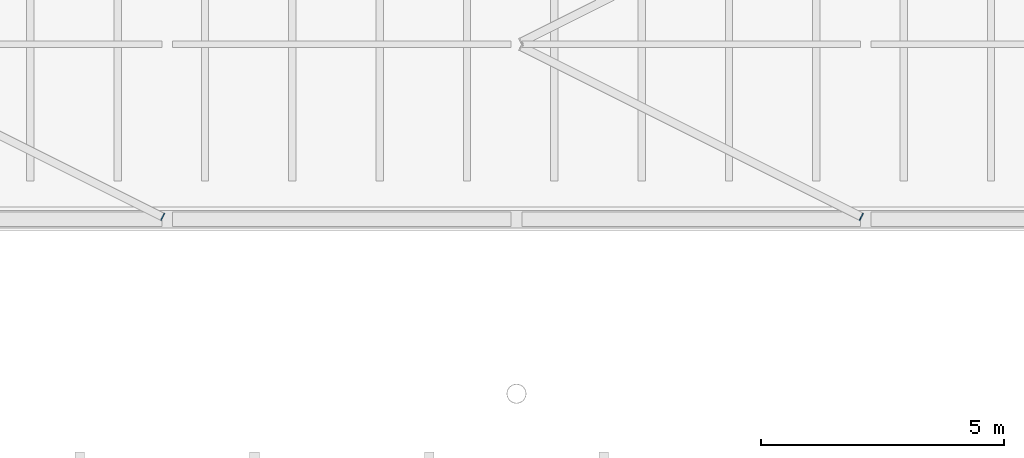
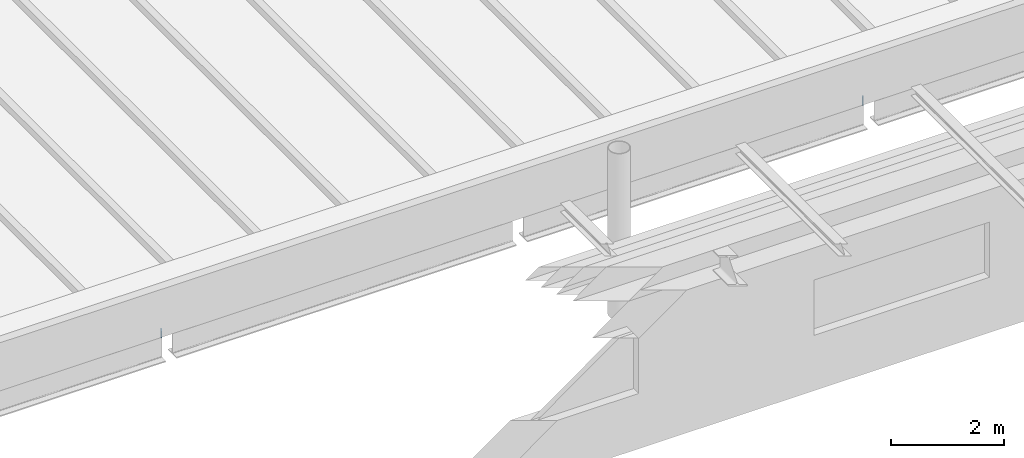
# One storey, part 69 of 110: 2 discrete accessories.
"""IFC4 building model written with IfcOpenShell, lengths in metres."""

import ifcopenshell
import ifcopenshell.guid

model = None  # the IFC model being written
_history = None  # IfcOwnerHistory: only IFC2X3 demands one
_inside = {}  # id of a spatial element -> (the spatial element, [elements in it])
_under = {}  # id of a project, library or spatial element -> (it, [spatial elements below it])
_declared = {}  # id of a project -> (the project, [libraries it declares])
_typed = {}  # id of a type object -> (the type object, [elements of that type])
_made_of = {}  # id of a material, layer set ... -> (it, [elements and type objects made of it])


def new_model(schema):
    """Start an empty IFC model of exactly this schema.

    Asked for "IFC4X3", IfcOpenShell would pick the latest addendum, in which some entities
    have other attributes; the version numbers below select the first issue.
    IFC2X3 requires an IfcOwnerHistory on every rooted entity: one is made here for all.
    """
    global model, _history
    if schema == "IFC4X3":
        model = ifcopenshell.file(schema_version=(4, 3, 0, 0))
    else:
        model = ifcopenshell.file(schema=schema)
    _inside.clear()
    _under.clear()
    _declared.clear()
    _typed.clear()
    _made_of.clear()
    _history = None
    if model.schema == "IFC2X3":
        org = make("IfcOrganization", Name="unknown")
        user = make(
            "IfcPersonAndOrganization",
            ThePerson=make("IfcPerson", FamilyName="unknown"),
            TheOrganization=org,
        )
        app = make(
            "IfcApplication",
            ApplicationDeveloper=org,
            Version="unknown",
            ApplicationFullName="unknown",
            ApplicationIdentifier="unknown",
        )
        _history = make(
            "IfcOwnerHistory",
            OwningUser=user,
            OwningApplication=app,
            ChangeAction="ADDED",
            CreationDate=0,
        )
    return model


def make(cls, **values):
    """One entity of the class cls with the attributes given. An attribute that is None is left unset."""
    return model.create_entity(
        cls, **{name: value for name, value in values.items() if value is not None}
    )


def rooted(cls, **values):
    """An entity with a GlobalId (a new one), such as an element, a storey or a relation."""
    return make(cls, GlobalId=ifcopenshell.guid.new(), OwnerHistory=_history, **values)


def si_unit(unit_type, name, prefix=None):
    """IfcSIUnit, for example si_unit("LENGTHUNIT", "METRE", prefix="MILLI")."""
    return make("IfcSIUnit", UnitType=unit_type, Prefix=prefix, Name=name)


def assignment(units):
    """IfcUnitAssignment: the units of a project."""
    return None if units is None else make("IfcUnitAssignment", Units=units)


def point(xyz):
    """IfcCartesianPoint."""
    return None if xyz is None else make("IfcCartesianPoint", Coordinates=xyz)


def direction(xyz):
    """IfcDirection."""
    return None if xyz is None else make("IfcDirection", DirectionRatios=xyz)


def frame(location, z_axis=None, x_axis=None):
    """IfcAxis2Placement3D, a coordinate frame: its origin and axes. An axis left out is left unset."""
    return make(
        "IfcAxis2Placement3D",
        Location=point(location),
        Axis=direction(z_axis),
        RefDirection=direction(x_axis),
    )


def frame_2d(location, x_axis=None):
    """IfcAxis2Placement2D, a coordinate frame in the plane: its origin and x axis."""
    return make(
        "IfcAxis2Placement2D", Location=point(location), RefDirection=direction(x_axis)
    )


def origin():
    """The frame at (0, 0, 0) with its axes left unset."""
    return frame((0.0, 0.0, 0.0))


def origin_2d():
    """The frame at (0, 0) in the plane with its x axis left unset."""
    return frame_2d((0.0, 0.0))


def place(relative_to, where):
    """IfcLocalPlacement: puts the frame where relative to a parent placement (None: the world)."""
    return make(
        "IfcLocalPlacement", PlacementRelTo=relative_to, RelativePlacement=where
    )


def context(
    kind, dimensions, precision=None, world=None, true_north=None, identifier=None
):
    """IfcGeometricRepresentationContext, for example the 3D "Model" context."""
    return make(
        "IfcGeometricRepresentationContext",
        ContextIdentifier=identifier,
        ContextType=kind,
        CoordinateSpaceDimension=dimensions,
        Precision=precision,
        WorldCoordinateSystem=world,
        TrueNorth=true_north,
    )


def subcontext(parent, identifier, kind, view, scale=None):
    """IfcGeometricRepresentationSubContext, for example "Body" below "Model"."""
    return make(
        "IfcGeometricRepresentationSubContext",
        ContextIdentifier=identifier,
        ContextType=kind,
        ParentContext=parent,
        TargetScale=scale,
        TargetView=view,
    )


def project(units=None, contexts=None):
    """IfcProject with its units and contexts."""
    return rooted(
        "IfcProject",
        Name="project",
        RepresentationContexts=contexts,
        UnitsInContext=assignment(units),
    )


def spatial(cls, under=None, at=None, **own):
    """A site, building, storey or space (cls), placed at a placement, below another one or the project."""
    s = rooted(cls, ObjectPlacement=at, **own)
    if under is not None:
        _under.setdefault(under.id(), (under, []))[1].append(s)
    return s


def profile(cls, at=None, kind="AREA", **sizes):
    """A parametric profile (cls). Its sizes go by their IFC names, for example OverallWidth=200.0."""
    return make(cls, ProfileType=kind, Position=at, **sizes)


def circle(**sizes):
    """IfcCircleProfileDef."""
    return profile("IfcCircleProfileDef", **sizes)


def extrude(swept, where, along, depth):
    """IfcExtrudedAreaSolid: the profile swept, set in the frame where, extruded along a direction by depth."""
    return make(
        "IfcExtrudedAreaSolid",
        SweptArea=swept,
        Position=where,
        ExtrudedDirection=direction(along),
        Depth=depth,
    )


def shape(context_of_items, identifier, shape_type, items):
    """IfcShapeRepresentation: the items that make up one representation, for example the "Body"."""
    return make(
        "IfcShapeRepresentation",
        ContextOfItems=context_of_items,
        RepresentationIdentifier=identifier,
        RepresentationType=shape_type,
        Items=items,
    )


def material(Name=None, Category=None):
    """IfcMaterial."""
    return make("IfcMaterial", Name=Name, Category=Category)


def layer(
    of_material, thickness, ventilated=None, Name=None, Category=None, Priority=None
):
    """IfcMaterialLayer: one layer of a wall or slab, of a material (None: an air gap)."""
    return make(
        "IfcMaterialLayer",
        Material=of_material,
        LayerThickness=thickness,
        IsVentilated=ventilated,
        Name=Name,
        Category=Category,
        Priority=Priority,
    )


def layer_set(layers, Name=None):
    """IfcMaterialLayerSet."""
    return make("IfcMaterialLayerSet", MaterialLayers=layers, LayerSetName=Name)


def made_of(thing, what):
    """Note that an element or type object is made of a material, layer set ...; save() writes the relation."""
    if what is not None:
        _made_of.setdefault(what.id(), (what, []))[1].append(thing)
    return thing


def type_object(cls, material=None, **own):
    """A type object (cls), such as IfcWallType, which elements share."""
    return made_of(rooted(cls, **own), material)


def element(
    cls,
    number,
    at=None,
    inside=None,
    cuts=None,
    type_object=None,
    material=None,
    context=None,
    identifier="Body",
    shape_type=None,
    held_by="IfcProductDefinitionShape",
    body=None,
    shapes=None,
    **own,
):
    """One element of the class cls, such as IfcWall. Its Tag is "e" and its number.

    at: its placement. inside: the storey or other place that contains it. cuts: it is an
    opening in that element (IfcRelVoidsElement). A single representation is given by context,
    identifier, shape_type and body (its items); several are given by shapes. held_by: the class
    of the entity that holds the representations. save() writes the other relations.
    """
    e = rooted(cls, Tag="e%d" % number, ObjectPlacement=at, **own)
    if body is not None:
        shapes = [shape(context, identifier, shape_type, body)]
    if shapes is not None:
        e.Representation = make(held_by, Representations=shapes)
    if inside is not None:
        _inside.setdefault(inside.id(), (inside, []))[1].append(e)
    if cuts is not None:
        rooted(
            "IfcRelVoidsElement", RelatingBuildingElement=cuts, RelatedOpeningElement=e
        )
    if type_object is not None:
        _typed.setdefault(type_object.id(), (type_object, []))[1].append(e)
    return made_of(e, material)


def aggregate(whole, parts):
    """IfcRelAggregates: a whole, such as a stair, and the parts it consists of."""
    return rooted("IfcRelAggregates", RelatingObject=whole, RelatedObjects=parts)


def save(model, path):
    """Write the relations noted so far, then the file.

    IfcRelAggregates (storeys below a building ...), IfcRelContainedInSpatialStructure (elements
    in a storey), IfcRelDefinesByType, IfcRelAssociatesMaterial and IfcRelDeclares: one each for
    every whole, place, type object, material and project.
    """
    for whole, parts in _under.values():
        aggregate(whole, parts)
    for where, things in _inside.values():
        rooted(
            "IfcRelContainedInSpatialStructure",
            RelatedElements=things,
            RelatingStructure=where,
        )
    for kind, things in _typed.values():
        rooted("IfcRelDefinesByType", RelatedObjects=things, RelatingType=kind)
    for what, things in _made_of.values():
        rooted("IfcRelAssociatesMaterial", RelatedObjects=things, RelatingMaterial=what)
    for by, libraries in _declared.values():
        rooted("IfcRelDeclares", RelatingContext=by, RelatedDefinitions=libraries)
    model.write(path)


model = new_model("IFC4")

# Units and contexts
model_context = context("Model", 3, precision=1e-05, world=origin(), true_north=direction((0.0, 1.0)))
body_context = subcontext(model_context, "Body", "Model", "MODEL_VIEW")
ifc_project = project(units=[si_unit("LENGTHUNIT", "METRE"), si_unit("AREAUNIT", "SQUARE_METRE"), si_unit("VOLUMEUNIT", "CUBIC_METRE"), si_unit("PLANEANGLEUNIT", "RADIAN"), si_unit("MASSUNIT", "GRAM", prefix="KILO")], contexts=[model_context])

# Site, building, storey
site_placement = place(None, origin())
site = spatial("IfcSite", under=ifc_project, at=site_placement, CompositionType="ELEMENT")
building_placement = place(site_placement, origin())
building = spatial("IfcBuilding", under=site, at=building_placement, Name="Kupolbacken Congress Centre", CompositionType="ELEMENT")
storey_placement = place(building_placement, frame((0.0, 0.0, 18.0)))
storey = spatial("IfcBuildingStorey", under=building, at=storey_placement, Name="L05", CompositionType="ELEMENT", Elevation=18.0)

# Discrete accessories
ifc_material = material(Name="Steel S355", Category="steel")
ifc_layer = layer(ifc_material, 0.011962890625)
ifc_layer_set = layer_set([ifc_layer], Name="Steel S355")
discrete_accessory_type = type_object("IfcDiscreteAccessoryType", Name="EC2 tube end cap plate 168 dia x 12", PredefinedType="BRACKET", material=ifc_layer_set)
for number, where, z_axis, x_axis, name in (
    (1, (172.70166015625, 122.44921875, -0.084228515625), (0.894427191, -0.4472135955, 0.0), (0.4472135955, 0.894427191, 0.0), "End cap plate BR/RB/03-00 A"),
    (2, (187.1015625, 122.44921875, -0.084228515625), (0.894427191, -0.4472135955, 0.0), (0.4472135955, 0.894427191, 0.0), "End cap plate BR/RB/05-00 A"),
):
    element("IfcDiscreteAccessory", number, at=place(storey_placement, frame(where, z_axis=z_axis, x_axis=x_axis)), inside=storey, type_object=discrete_accessory_type, Name=name, PredefinedType="BRACKET", context=body_context, shape_type="SweptSolid", body=[
        extrude(circle(Radius=0.084228515625, at=origin_2d()), origin(), (0.0, 0.0, 1.0), 0.011962890625),
    ])

save(model, "model.ifc")
